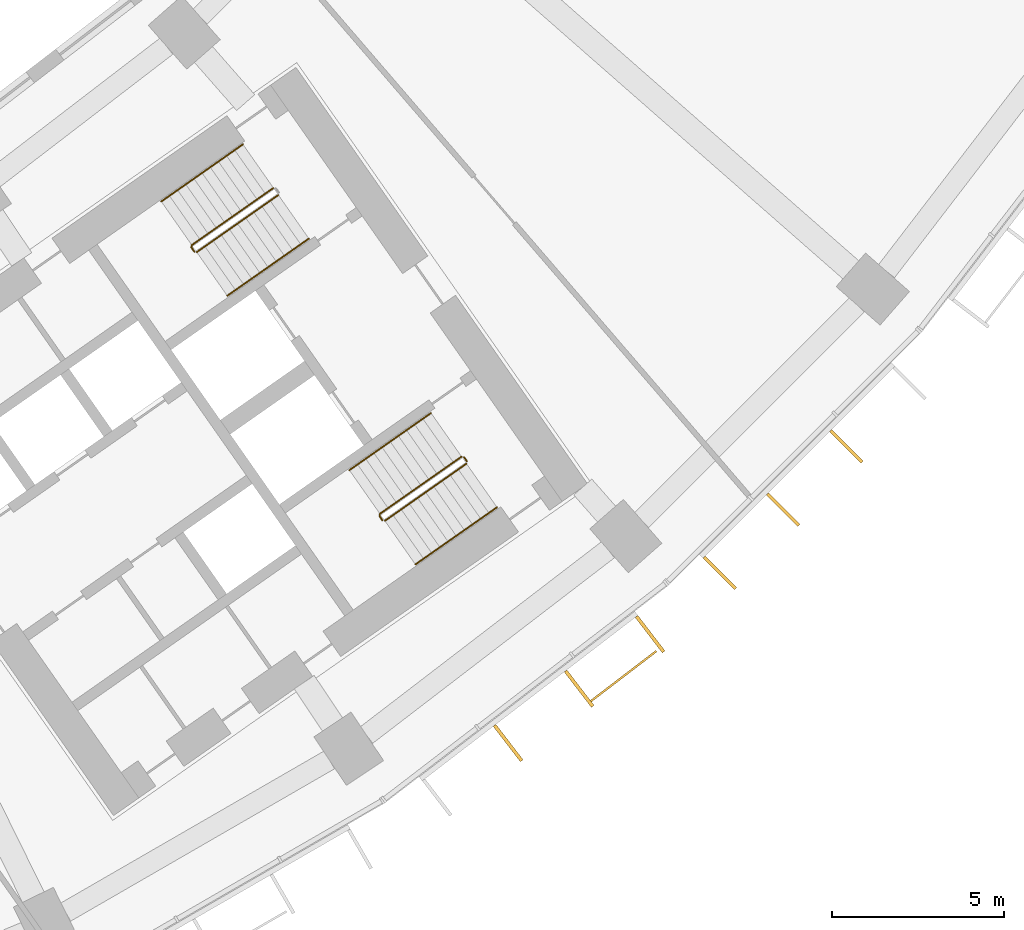
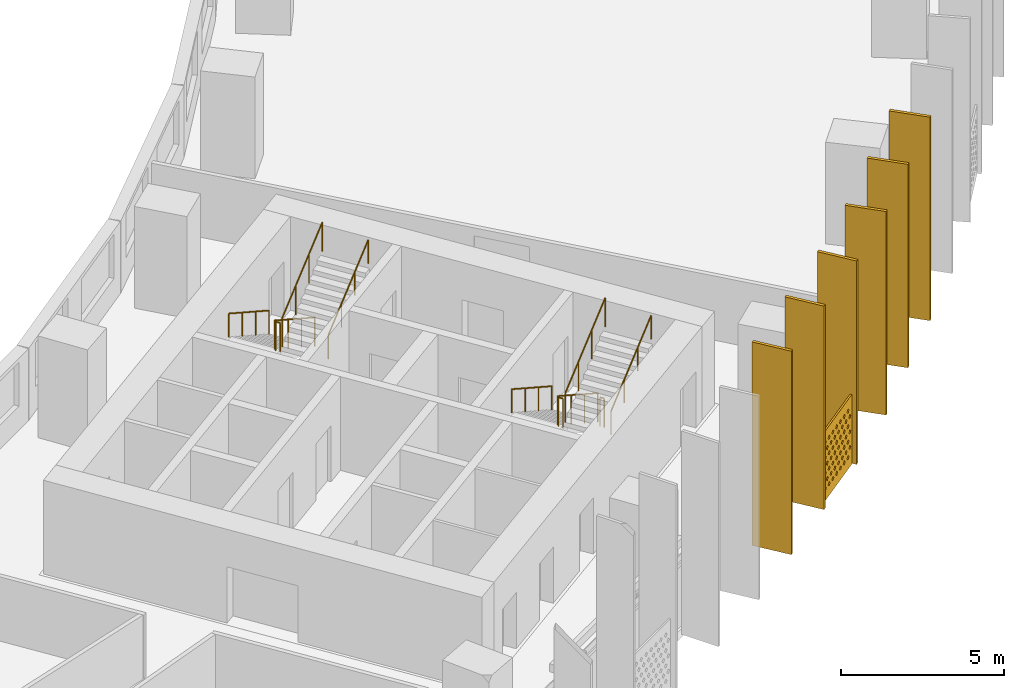
# One storey, part 32 of 33: 9 railings, 7 shading devices.
"""IFC4 building model written with IfcOpenShell, lengths in metres."""

import ifcopenshell
import ifcopenshell.guid

model = None  # the IFC model being written
_history = None  # IfcOwnerHistory: only IFC2X3 demands one
_inside = {}  # id of a spatial element -> (the spatial element, [elements in it])
_under = {}  # id of a project, library or spatial element -> (it, [spatial elements below it])
_declared = {}  # id of a project -> (the project, [libraries it declares])
_typed = {}  # id of a type object -> (the type object, [elements of that type])
_made_of = {}  # id of a material, layer set ... -> (it, [elements and type objects made of it])


def new_model(schema):
    """Start an empty IFC model of exactly this schema.

    Asked for "IFC4X3", IfcOpenShell would pick the latest addendum, in which some entities
    have other attributes; the version numbers below select the first issue.
    IFC2X3 requires an IfcOwnerHistory on every rooted entity: one is made here for all.
    """
    global model, _history
    if schema == "IFC4X3":
        model = ifcopenshell.file(schema_version=(4, 3, 0, 0))
    else:
        model = ifcopenshell.file(schema=schema)
    _inside.clear()
    _under.clear()
    _declared.clear()
    _typed.clear()
    _made_of.clear()
    _history = None
    if model.schema == "IFC2X3":
        org = make("IfcOrganization", Name="unknown")
        user = make(
            "IfcPersonAndOrganization",
            ThePerson=make("IfcPerson", FamilyName="unknown"),
            TheOrganization=org,
        )
        app = make(
            "IfcApplication",
            ApplicationDeveloper=org,
            Version="unknown",
            ApplicationFullName="unknown",
            ApplicationIdentifier="unknown",
        )
        _history = make(
            "IfcOwnerHistory",
            OwningUser=user,
            OwningApplication=app,
            ChangeAction="ADDED",
            CreationDate=0,
        )
    return model


def make(cls, **values):
    """One entity of the class cls with the attributes given. An attribute that is None is left unset."""
    return model.create_entity(
        cls, **{name: value for name, value in values.items() if value is not None}
    )


def rooted(cls, **values):
    """An entity with a GlobalId (a new one), such as an element, a storey or a relation."""
    return make(cls, GlobalId=ifcopenshell.guid.new(), OwnerHistory=_history, **values)


def si_unit(unit_type, name, prefix=None):
    """IfcSIUnit, for example si_unit("LENGTHUNIT", "METRE", prefix="MILLI")."""
    return make("IfcSIUnit", UnitType=unit_type, Prefix=prefix, Name=name)


def assignment(units):
    """IfcUnitAssignment: the units of a project."""
    return None if units is None else make("IfcUnitAssignment", Units=units)


def point(xyz):
    """IfcCartesianPoint."""
    return None if xyz is None else make("IfcCartesianPoint", Coordinates=xyz)


def direction(xyz):
    """IfcDirection."""
    return None if xyz is None else make("IfcDirection", DirectionRatios=xyz)


def frame(location, z_axis=None, x_axis=None):
    """IfcAxis2Placement3D, a coordinate frame: its origin and axes. An axis left out is left unset."""
    return make(
        "IfcAxis2Placement3D",
        Location=point(location),
        Axis=direction(z_axis),
        RefDirection=direction(x_axis),
    )


def frame_2d(location, x_axis=None):
    """IfcAxis2Placement2D, a coordinate frame in the plane: its origin and x axis."""
    return make(
        "IfcAxis2Placement2D", Location=point(location), RefDirection=direction(x_axis)
    )


def origin():
    """The frame at (0, 0, 0) with its axes left unset."""
    return frame((0.0, 0.0, 0.0))


def origin_2d():
    """The frame at (0, 0) in the plane with its x axis left unset."""
    return frame_2d((0.0, 0.0))


def place(relative_to, where):
    """IfcLocalPlacement: puts the frame where relative to a parent placement (None: the world)."""
    return make(
        "IfcLocalPlacement", PlacementRelTo=relative_to, RelativePlacement=where
    )


def context(
    kind, dimensions, precision=None, world=None, true_north=None, identifier=None
):
    """IfcGeometricRepresentationContext, for example the 3D "Model" context."""
    return make(
        "IfcGeometricRepresentationContext",
        ContextIdentifier=identifier,
        ContextType=kind,
        CoordinateSpaceDimension=dimensions,
        Precision=precision,
        WorldCoordinateSystem=world,
        TrueNorth=true_north,
    )


def subcontext(parent, identifier, kind, view, scale=None):
    """IfcGeometricRepresentationSubContext, for example "Body" below "Model"."""
    return make(
        "IfcGeometricRepresentationSubContext",
        ContextIdentifier=identifier,
        ContextType=kind,
        ParentContext=parent,
        TargetScale=scale,
        TargetView=view,
    )


def project(units=None, contexts=None):
    """IfcProject with its units and contexts."""
    return rooted(
        "IfcProject",
        Name="project",
        RepresentationContexts=contexts,
        UnitsInContext=assignment(units),
    )


def spatial(cls, under=None, at=None, **own):
    """A site, building, storey or space (cls), placed at a placement, below another one or the project."""
    s = rooted(cls, ObjectPlacement=at, **own)
    if under is not None:
        _under.setdefault(under.id(), (under, []))[1].append(s)
    return s


def polyline(points):
    """IfcPolyline through the points."""
    return make("IfcPolyline", Points=[point(p) for p in points])


def profile(cls, at=None, kind="AREA", **sizes):
    """A parametric profile (cls). Its sizes go by their IFC names, for example OverallWidth=200.0."""
    return make(cls, ProfileType=kind, Position=at, **sizes)


def rectangle(**sizes):
    """IfcRectangleProfileDef."""
    return profile("IfcRectangleProfileDef", **sizes)


def circle(**sizes):
    """IfcCircleProfileDef."""
    return profile("IfcCircleProfileDef", **sizes)


def outline(outer, holes=None, kind="AREA"):
    """IfcArbitraryClosedProfileDef: a profile drawn as a closed curve; with holes, ...WithVoids."""
    if holes is None:
        return make("IfcArbitraryClosedProfileDef", ProfileType=kind, OuterCurve=outer)
    return make(
        "IfcArbitraryProfileDefWithVoids",
        ProfileType=kind,
        OuterCurve=outer,
        InnerCurves=holes,
    )


def extrude(swept, where, along, depth):
    """IfcExtrudedAreaSolid: the profile swept, set in the frame where, extruded along a direction by depth."""
    return make(
        "IfcExtrudedAreaSolid",
        SweptArea=swept,
        Position=where,
        ExtrudedDirection=direction(along),
        Depth=depth,
    )


def shape(context_of_items, identifier, shape_type, items):
    """IfcShapeRepresentation: the items that make up one representation, for example the "Body"."""
    return make(
        "IfcShapeRepresentation",
        ContextOfItems=context_of_items,
        RepresentationIdentifier=identifier,
        RepresentationType=shape_type,
        Items=items,
    )


def material(Name=None, Category=None):
    """IfcMaterial."""
    return make("IfcMaterial", Name=Name, Category=Category)


def material_profile(
    of_material, cross_section, Name=None, Category=None, Priority=None
):
    """IfcMaterialProfile: a cross section and its material."""
    return make(
        "IfcMaterialProfile",
        Name=Name,
        Material=of_material,
        Profile=cross_section,
        Priority=Priority,
        Category=Category,
    )


def profile_set(profiles, Name=None, composite=None):
    """IfcMaterialProfileSet."""
    return make(
        "IfcMaterialProfileSet",
        Name=Name,
        MaterialProfiles=profiles,
        CompositeProfile=composite,
    )


def made_of(thing, what):
    """Note that an element or type object is made of a material, layer set ...; save() writes the relation."""
    if what is not None:
        _made_of.setdefault(what.id(), (what, []))[1].append(thing)
    return thing


def type_object(cls, material=None, **own):
    """A type object (cls), such as IfcWallType, which elements share."""
    return made_of(rooted(cls, **own), material)


def element(
    cls,
    number,
    at=None,
    inside=None,
    cuts=None,
    type_object=None,
    material=None,
    context=None,
    identifier="Body",
    shape_type=None,
    held_by="IfcProductDefinitionShape",
    body=None,
    shapes=None,
    **own,
):
    """One element of the class cls, such as IfcWall. Its Tag is "e" and its number.

    at: its placement. inside: the storey or other place that contains it. cuts: it is an
    opening in that element (IfcRelVoidsElement). A single representation is given by context,
    identifier, shape_type and body (its items); several are given by shapes. held_by: the class
    of the entity that holds the representations. save() writes the other relations.
    """
    e = rooted(cls, Tag="e%d" % number, ObjectPlacement=at, **own)
    if body is not None:
        shapes = [shape(context, identifier, shape_type, body)]
    if shapes is not None:
        e.Representation = make(held_by, Representations=shapes)
    if inside is not None:
        _inside.setdefault(inside.id(), (inside, []))[1].append(e)
    if cuts is not None:
        rooted(
            "IfcRelVoidsElement", RelatingBuildingElement=cuts, RelatedOpeningElement=e
        )
    if type_object is not None:
        _typed.setdefault(type_object.id(), (type_object, []))[1].append(e)
    return made_of(e, material)


def aggregate(whole, parts):
    """IfcRelAggregates: a whole, such as a stair, and the parts it consists of."""
    return rooted("IfcRelAggregates", RelatingObject=whole, RelatedObjects=parts)


def save(model, path):
    """Write the relations noted so far, then the file.

    IfcRelAggregates (storeys below a building ...), IfcRelContainedInSpatialStructure (elements
    in a storey), IfcRelDefinesByType, IfcRelAssociatesMaterial and IfcRelDeclares: one each for
    every whole, place, type object, material and project.
    """
    for whole, parts in _under.values():
        aggregate(whole, parts)
    for where, things in _inside.values():
        rooted(
            "IfcRelContainedInSpatialStructure",
            RelatedElements=things,
            RelatingStructure=where,
        )
    for kind, things in _typed.values():
        rooted("IfcRelDefinesByType", RelatedObjects=things, RelatingType=kind)
    for what, things in _made_of.values():
        rooted("IfcRelAssociatesMaterial", RelatedObjects=things, RelatingMaterial=what)
    for by, libraries in _declared.values():
        rooted("IfcRelDeclares", RelatingContext=by, RelatedDefinitions=libraries)
    model.write(path)


model = new_model("IFC4")

# Units and contexts
model_context = context("Model", 3, precision=1e-05, world=origin(), true_north=direction((0.0, 1.0)))
body_context = subcontext(model_context, "Body", "Model", "MODEL_VIEW")
ifc_project = project(units=[si_unit("LENGTHUNIT", "METRE"), si_unit("AREAUNIT", "SQUARE_METRE"), si_unit("VOLUMEUNIT", "CUBIC_METRE"), si_unit("PLANEANGLEUNIT", "RADIAN"), si_unit("MASSUNIT", "GRAM", prefix="KILO")], contexts=[model_context])

# Site, building, storey
site_placement = place(None, origin())
site = spatial("IfcSite", under=ifc_project, at=site_placement, CompositionType="ELEMENT")
building_placement = place(site_placement, origin())
building = spatial("IfcBuilding", under=site, at=building_placement, Name="Qamariyya Broadcast Tower", CompositionType="ELEMENT")
storey_placement = place(building_placement, frame((0.0, 0.0, 78.5)))
storey = spatial("IfcBuildingStorey", under=building, at=storey_placement, Name="L16", CompositionType="ELEMENT", Elevation=78.5)

# Shading device
ifc_material_1 = material(Name="Perforated glazed terracotta", Category="masonry")
ifc_material_profile_1 = material_profile(ifc_material_1, outline(polyline([(-1.199951171875, -1.300048828125), (1.199951171875, -1.300048828125), (1.199951171875, 1.300048828125), (-1.199951171875, 1.300048828125), (-1.199951171875, -1.300048828125)]), holes=[polyline([(-0.81494140625, -0.86669921875), (-0.89990234375, -0.78173828125), (-0.985107421875, -0.86669921875), (-0.89990234375, -0.95166015625), (-0.81494140625, -0.86669921875)]), polyline([(-0.514892578125, -0.86669921875), (-0.60009765625, -0.78173828125), (-0.68505859375, -0.86669921875), (-0.60009765625, -0.95166015625), (-0.514892578125, -0.86669921875)]), polyline([(-0.215087890625, -0.86669921875), (-0.300048828125, -0.78173828125), (-0.385009765625, -0.86669921875), (-0.300048828125, -0.95166015625), (-0.215087890625, -0.86669921875)]), polyline([(0.0849609375, -0.86669921875), (0.0, -0.78173828125), (-0.0849609375, -0.86669921875), (0.0, -0.95166015625), (0.0849609375, -0.86669921875)]), polyline([(0.385009765625, -0.86669921875), (0.300048828125, -0.78173828125), (0.215087890625, -0.86669921875), (0.300048828125, -0.95166015625), (0.385009765625, -0.86669921875)]), polyline([(0.68505859375, -0.86669921875), (0.60009765625, -0.78173828125), (0.514892578125, -0.86669921875), (0.60009765625, -0.95166015625), (0.68505859375, -0.86669921875)]), polyline([(0.985107421875, -0.86669921875), (0.89990234375, -0.78173828125), (0.81494140625, -0.86669921875), (0.89990234375, -0.95166015625), (0.985107421875, -0.86669921875)]), polyline([(-0.965087890625, -0.577880859375), (-1.050048828125, -0.49267578125), (-1.135009765625, -0.577880859375), (-1.050048828125, -0.662841796875), (-0.965087890625, -0.577880859375)]), polyline([(-0.6650390625, -0.577880859375), (-0.75, -0.49267578125), (-0.8349609375, -0.577880859375), (-0.75, -0.662841796875), (-0.6650390625, -0.577880859375)]), polyline([(-0.364990234375, -0.577880859375), (-0.449951171875, -0.49267578125), (-0.534912109375, -0.577880859375), (-0.449951171875, -0.662841796875), (-0.364990234375, -0.577880859375)]), polyline([(-0.06494140625, -0.577880859375), (-0.14990234375, -0.49267578125), (-0.235107421875, -0.577880859375), (-0.14990234375, -0.662841796875), (-0.06494140625, -0.577880859375)]), polyline([(0.235107421875, -0.577880859375), (0.14990234375, -0.49267578125), (0.06494140625, -0.577880859375), (0.14990234375, -0.662841796875), (0.235107421875, -0.577880859375)]), polyline([(0.534912109375, -0.577880859375), (0.449951171875, -0.49267578125), (0.364990234375, -0.577880859375), (0.449951171875, -0.662841796875), (0.534912109375, -0.577880859375)]), polyline([(0.8349609375, -0.577880859375), (0.75, -0.49267578125), (0.6650390625, -0.577880859375), (0.75, -0.662841796875), (0.8349609375, -0.577880859375)]), polyline([(1.135009765625, -0.577880859375), (1.050048828125, -0.49267578125), (0.965087890625, -0.577880859375), (1.050048828125, -0.662841796875), (1.135009765625, -0.577880859375)]), polyline([(-0.81494140625, -0.288818359375), (-0.89990234375, -0.203857421875), (-0.985107421875, -0.288818359375), (-0.89990234375, -0.373779296875), (-0.81494140625, -0.288818359375)]), polyline([(-0.514892578125, -0.288818359375), (-0.60009765625, -0.203857421875), (-0.68505859375, -0.288818359375), (-0.60009765625, -0.373779296875), (-0.514892578125, -0.288818359375)]), polyline([(-0.215087890625, -0.288818359375), (-0.300048828125, -0.203857421875), (-0.385009765625, -0.288818359375), (-0.300048828125, -0.373779296875), (-0.215087890625, -0.288818359375)]), polyline([(0.0849609375, -0.288818359375), (0.0, -0.203857421875), (-0.0849609375, -0.288818359375), (0.0, -0.373779296875), (0.0849609375, -0.288818359375)]), polyline([(0.385009765625, -0.288818359375), (0.300048828125, -0.203857421875), (0.215087890625, -0.288818359375), (0.300048828125, -0.373779296875), (0.385009765625, -0.288818359375)]), polyline([(0.68505859375, -0.288818359375), (0.60009765625, -0.203857421875), (0.514892578125, -0.288818359375), (0.60009765625, -0.373779296875), (0.68505859375, -0.288818359375)]), polyline([(0.985107421875, -0.288818359375), (0.89990234375, -0.203857421875), (0.81494140625, -0.288818359375), (0.89990234375, -0.373779296875), (0.985107421875, -0.288818359375)]), polyline([(-0.965087890625, 0.0), (-1.050048828125, 0.0849609375), (-1.135009765625, 0.0), (-1.050048828125, -0.0849609375), (-0.965087890625, 0.0)]), polyline([(-0.6650390625, 0.0), (-0.75, 0.0849609375), (-0.8349609375, 0.0), (-0.75, -0.0849609375), (-0.6650390625, 0.0)]), polyline([(-0.364990234375, 0.0), (-0.449951171875, 0.0849609375), (-0.534912109375, 0.0), (-0.449951171875, -0.0849609375), (-0.364990234375, 0.0)]), polyline([(-0.06494140625, 0.0), (-0.14990234375, 0.0849609375), (-0.235107421875, 0.0), (-0.14990234375, -0.0849609375), (-0.06494140625, 0.0)]), polyline([(0.235107421875, 0.0), (0.14990234375, 0.0849609375), (0.06494140625, 0.0), (0.14990234375, -0.0849609375), (0.235107421875, 0.0)]), polyline([(0.534912109375, 0.0), (0.449951171875, 0.0849609375), (0.364990234375, 0.0), (0.449951171875, -0.0849609375), (0.534912109375, 0.0)]), polyline([(0.8349609375, 0.0), (0.75, 0.0849609375), (0.6650390625, 0.0), (0.75, -0.0849609375), (0.8349609375, 0.0)]), polyline([(1.135009765625, 0.0), (1.050048828125, 0.0849609375), (0.965087890625, 0.0), (1.050048828125, -0.0849609375), (1.135009765625, 0.0)]), polyline([(-0.81494140625, 0.288818359375), (-0.89990234375, 0.373779296875), (-0.985107421875, 0.288818359375), (-0.89990234375, 0.203857421875), (-0.81494140625, 0.288818359375)]), polyline([(-0.514892578125, 0.288818359375), (-0.60009765625, 0.373779296875), (-0.68505859375, 0.288818359375), (-0.60009765625, 0.203857421875), (-0.514892578125, 0.288818359375)]), polyline([(-0.215087890625, 0.288818359375), (-0.300048828125, 0.373779296875), (-0.385009765625, 0.288818359375), (-0.300048828125, 0.203857421875), (-0.215087890625, 0.288818359375)]), polyline([(0.0849609375, 0.288818359375), (0.0, 0.373779296875), (-0.0849609375, 0.288818359375), (0.0, 0.203857421875), (0.0849609375, 0.288818359375)]), polyline([(0.385009765625, 0.288818359375), (0.300048828125, 0.373779296875), (0.215087890625, 0.288818359375), (0.300048828125, 0.203857421875), (0.385009765625, 0.288818359375)]), polyline([(0.68505859375, 0.288818359375), (0.60009765625, 0.373779296875), (0.514892578125, 0.288818359375), (0.60009765625, 0.203857421875), (0.68505859375, 0.288818359375)]), polyline([(0.985107421875, 0.288818359375), (0.89990234375, 0.373779296875), (0.81494140625, 0.288818359375), (0.89990234375, 0.203857421875), (0.985107421875, 0.288818359375)]), polyline([(-0.965087890625, 0.577880859375), (-1.050048828125, 0.662841796875), (-1.135009765625, 0.577880859375), (-1.050048828125, 0.49267578125), (-0.965087890625, 0.577880859375)]), polyline([(-0.6650390625, 0.577880859375), (-0.75, 0.662841796875), (-0.8349609375, 0.577880859375), (-0.75, 0.49267578125), (-0.6650390625, 0.577880859375)]), polyline([(-0.364990234375, 0.577880859375), (-0.449951171875, 0.662841796875), (-0.534912109375, 0.577880859375), (-0.449951171875, 0.49267578125), (-0.364990234375, 0.577880859375)]), polyline([(-0.06494140625, 0.577880859375), (-0.14990234375, 0.662841796875), (-0.235107421875, 0.577880859375), (-0.14990234375, 0.49267578125), (-0.06494140625, 0.577880859375)]), polyline([(0.235107421875, 0.577880859375), (0.14990234375, 0.662841796875), (0.06494140625, 0.577880859375), (0.14990234375, 0.49267578125), (0.235107421875, 0.577880859375)]), polyline([(0.534912109375, 0.577880859375), (0.449951171875, 0.662841796875), (0.364990234375, 0.577880859375), (0.449951171875, 0.49267578125), (0.534912109375, 0.577880859375)]), polyline([(0.8349609375, 0.577880859375), (0.75, 0.662841796875), (0.6650390625, 0.577880859375), (0.75, 0.49267578125), (0.8349609375, 0.577880859375)]), polyline([(1.135009765625, 0.577880859375), (1.050048828125, 0.662841796875), (0.965087890625, 0.577880859375), (1.050048828125, 0.49267578125), (1.135009765625, 0.577880859375)]), polyline([(-0.81494140625, 0.86669921875), (-0.89990234375, 0.95166015625), (-0.985107421875, 0.86669921875), (-0.89990234375, 0.78173828125), (-0.81494140625, 0.86669921875)]), polyline([(-0.514892578125, 0.86669921875), (-0.60009765625, 0.95166015625), (-0.68505859375, 0.86669921875), (-0.60009765625, 0.78173828125), (-0.514892578125, 0.86669921875)]), polyline([(-0.215087890625, 0.86669921875), (-0.300048828125, 0.95166015625), (-0.385009765625, 0.86669921875), (-0.300048828125, 0.78173828125), (-0.215087890625, 0.86669921875)]), polyline([(0.0849609375, 0.86669921875), (0.0, 0.95166015625), (-0.0849609375, 0.86669921875), (0.0, 0.78173828125), (0.0849609375, 0.86669921875)]), polyline([(0.385009765625, 0.86669921875), (0.300048828125, 0.95166015625), (0.215087890625, 0.86669921875), (0.300048828125, 0.78173828125), (0.385009765625, 0.86669921875)]), polyline([(0.68505859375, 0.86669921875), (0.60009765625, 0.95166015625), (0.514892578125, 0.86669921875), (0.60009765625, 0.78173828125), (0.68505859375, 0.86669921875)]), polyline([(0.985107421875, 0.86669921875), (0.89990234375, 0.95166015625), (0.81494140625, 0.86669921875), (0.89990234375, 0.78173828125), (0.985107421875, 0.86669921875)])]))
ifc_profile_set_1 = profile_set([ifc_material_profile_1], Name="Perforated glazed terracotta")
shading_device_type_1 = type_object("IfcShadingDeviceType", Name="Perforated terracotta screen 2400 x 2600", PredefinedType="USERDEFINED", material=ifc_profile_set_1)
shading_device_placement = place(storey_placement, frame((51.18212890625, -62.509033203125, 1.35009765625), z_axis=(0.607147566278, -0.794589096806, 0.0), x_axis=(0.794589096806, 0.607147566278, 0.0)))
element("IfcShadingDevice", 1, at=shading_device_placement, inside=storey, type_object=shading_device_type_1, Name="e-scr-L16-13-2", ObjectType="SCREEN", PredefinedType="USERDEFINED", context=body_context, shape_type="SweptSolid", body=[
    extrude(outline(polyline([(-1.199951171875, -1.300048828125), (1.199951171875, -1.300048828125), (1.199951171875, 1.300048828125), (-1.199951171875, 1.300048828125), (-1.199951171875, -1.300048828125)]), holes=[polyline([(-0.81494140625, -0.86669921875), (-0.89990234375, -0.78173828125), (-0.985107421875, -0.86669921875), (-0.89990234375, -0.95166015625), (-0.81494140625, -0.86669921875)]), polyline([(-0.514892578125, -0.86669921875), (-0.60009765625, -0.78173828125), (-0.68505859375, -0.86669921875), (-0.60009765625, -0.95166015625), (-0.514892578125, -0.86669921875)]), polyline([(-0.215087890625, -0.86669921875), (-0.300048828125, -0.78173828125), (-0.385009765625, -0.86669921875), (-0.300048828125, -0.95166015625), (-0.215087890625, -0.86669921875)]), polyline([(0.0849609375, -0.86669921875), (0.0, -0.78173828125), (-0.0849609375, -0.86669921875), (0.0, -0.95166015625), (0.0849609375, -0.86669921875)]), polyline([(0.385009765625, -0.86669921875), (0.300048828125, -0.78173828125), (0.215087890625, -0.86669921875), (0.300048828125, -0.95166015625), (0.385009765625, -0.86669921875)]), polyline([(0.68505859375, -0.86669921875), (0.60009765625, -0.78173828125), (0.514892578125, -0.86669921875), (0.60009765625, -0.95166015625), (0.68505859375, -0.86669921875)]), polyline([(0.985107421875, -0.86669921875), (0.89990234375, -0.78173828125), (0.81494140625, -0.86669921875), (0.89990234375, -0.95166015625), (0.985107421875, -0.86669921875)]), polyline([(-0.965087890625, -0.577880859375), (-1.050048828125, -0.49267578125), (-1.135009765625, -0.577880859375), (-1.050048828125, -0.662841796875), (-0.965087890625, -0.577880859375)]), polyline([(-0.6650390625, -0.577880859375), (-0.75, -0.49267578125), (-0.8349609375, -0.577880859375), (-0.75, -0.662841796875), (-0.6650390625, -0.577880859375)]), polyline([(-0.364990234375, -0.577880859375), (-0.449951171875, -0.49267578125), (-0.534912109375, -0.577880859375), (-0.449951171875, -0.662841796875), (-0.364990234375, -0.577880859375)]), polyline([(-0.06494140625, -0.577880859375), (-0.14990234375, -0.49267578125), (-0.235107421875, -0.577880859375), (-0.14990234375, -0.662841796875), (-0.06494140625, -0.577880859375)]), polyline([(0.235107421875, -0.577880859375), (0.14990234375, -0.49267578125), (0.06494140625, -0.577880859375), (0.14990234375, -0.662841796875), (0.235107421875, -0.577880859375)]), polyline([(0.534912109375, -0.577880859375), (0.449951171875, -0.49267578125), (0.364990234375, -0.577880859375), (0.449951171875, -0.662841796875), (0.534912109375, -0.577880859375)]), polyline([(0.8349609375, -0.577880859375), (0.75, -0.49267578125), (0.6650390625, -0.577880859375), (0.75, -0.662841796875), (0.8349609375, -0.577880859375)]), polyline([(1.135009765625, -0.577880859375), (1.050048828125, -0.49267578125), (0.965087890625, -0.577880859375), (1.050048828125, -0.662841796875), (1.135009765625, -0.577880859375)]), polyline([(-0.81494140625, -0.288818359375), (-0.89990234375, -0.203857421875), (-0.985107421875, -0.288818359375), (-0.89990234375, -0.373779296875), (-0.81494140625, -0.288818359375)]), polyline([(-0.514892578125, -0.288818359375), (-0.60009765625, -0.203857421875), (-0.68505859375, -0.288818359375), (-0.60009765625, -0.373779296875), (-0.514892578125, -0.288818359375)]), polyline([(-0.215087890625, -0.288818359375), (-0.300048828125, -0.203857421875), (-0.385009765625, -0.288818359375), (-0.300048828125, -0.373779296875), (-0.215087890625, -0.288818359375)]), polyline([(0.0849609375, -0.288818359375), (0.0, -0.203857421875), (-0.0849609375, -0.288818359375), (0.0, -0.373779296875), (0.0849609375, -0.288818359375)]), polyline([(0.385009765625, -0.288818359375), (0.300048828125, -0.203857421875), (0.215087890625, -0.288818359375), (0.300048828125, -0.373779296875), (0.385009765625, -0.288818359375)]), polyline([(0.68505859375, -0.288818359375), (0.60009765625, -0.203857421875), (0.514892578125, -0.288818359375), (0.60009765625, -0.373779296875), (0.68505859375, -0.288818359375)]), polyline([(0.985107421875, -0.288818359375), (0.89990234375, -0.203857421875), (0.81494140625, -0.288818359375), (0.89990234375, -0.373779296875), (0.985107421875, -0.288818359375)]), polyline([(-0.965087890625, 0.0), (-1.050048828125, 0.0849609375), (-1.135009765625, 0.0), (-1.050048828125, -0.0849609375), (-0.965087890625, 0.0)]), polyline([(-0.6650390625, 0.0), (-0.75, 0.0849609375), (-0.8349609375, 0.0), (-0.75, -0.0849609375), (-0.6650390625, 0.0)]), polyline([(-0.364990234375, 0.0), (-0.449951171875, 0.0849609375), (-0.534912109375, 0.0), (-0.449951171875, -0.0849609375), (-0.364990234375, 0.0)]), polyline([(-0.06494140625, 0.0), (-0.14990234375, 0.0849609375), (-0.235107421875, 0.0), (-0.14990234375, -0.0849609375), (-0.06494140625, 0.0)]), polyline([(0.235107421875, 0.0), (0.14990234375, 0.0849609375), (0.06494140625, 0.0), (0.14990234375, -0.0849609375), (0.235107421875, 0.0)]), polyline([(0.534912109375, 0.0), (0.449951171875, 0.0849609375), (0.364990234375, 0.0), (0.449951171875, -0.0849609375), (0.534912109375, 0.0)]), polyline([(0.8349609375, 0.0), (0.75, 0.0849609375), (0.6650390625, 0.0), (0.75, -0.0849609375), (0.8349609375, 0.0)]), polyline([(1.135009765625, 0.0), (1.050048828125, 0.0849609375), (0.965087890625, 0.0), (1.050048828125, -0.0849609375), (1.135009765625, 0.0)]), polyline([(-0.81494140625, 0.288818359375), (-0.89990234375, 0.373779296875), (-0.985107421875, 0.288818359375), (-0.89990234375, 0.203857421875), (-0.81494140625, 0.288818359375)]), polyline([(-0.514892578125, 0.288818359375), (-0.60009765625, 0.373779296875), (-0.68505859375, 0.288818359375), (-0.60009765625, 0.203857421875), (-0.514892578125, 0.288818359375)]), polyline([(-0.215087890625, 0.288818359375), (-0.300048828125, 0.373779296875), (-0.385009765625, 0.288818359375), (-0.300048828125, 0.203857421875), (-0.215087890625, 0.288818359375)]), polyline([(0.0849609375, 0.288818359375), (0.0, 0.373779296875), (-0.0849609375, 0.288818359375), (0.0, 0.203857421875), (0.0849609375, 0.288818359375)]), polyline([(0.385009765625, 0.288818359375), (0.300048828125, 0.373779296875), (0.215087890625, 0.288818359375), (0.300048828125, 0.203857421875), (0.385009765625, 0.288818359375)]), polyline([(0.68505859375, 0.288818359375), (0.60009765625, 0.373779296875), (0.514892578125, 0.288818359375), (0.60009765625, 0.203857421875), (0.68505859375, 0.288818359375)]), polyline([(0.985107421875, 0.288818359375), (0.89990234375, 0.373779296875), (0.81494140625, 0.288818359375), (0.89990234375, 0.203857421875), (0.985107421875, 0.288818359375)]), polyline([(-0.965087890625, 0.577880859375), (-1.050048828125, 0.662841796875), (-1.135009765625, 0.577880859375), (-1.050048828125, 0.49267578125), (-0.965087890625, 0.577880859375)]), polyline([(-0.6650390625, 0.577880859375), (-0.75, 0.662841796875), (-0.8349609375, 0.577880859375), (-0.75, 0.49267578125), (-0.6650390625, 0.577880859375)]), polyline([(-0.364990234375, 0.577880859375), (-0.449951171875, 0.662841796875), (-0.534912109375, 0.577880859375), (-0.449951171875, 0.49267578125), (-0.364990234375, 0.577880859375)]), polyline([(-0.06494140625, 0.577880859375), (-0.14990234375, 0.662841796875), (-0.235107421875, 0.577880859375), (-0.14990234375, 0.49267578125), (-0.06494140625, 0.577880859375)]), polyline([(0.235107421875, 0.577880859375), (0.14990234375, 0.662841796875), (0.06494140625, 0.577880859375), (0.14990234375, 0.49267578125), (0.235107421875, 0.577880859375)]), polyline([(0.534912109375, 0.577880859375), (0.449951171875, 0.662841796875), (0.364990234375, 0.577880859375), (0.449951171875, 0.49267578125), (0.534912109375, 0.577880859375)]), polyline([(0.8349609375, 0.577880859375), (0.75, 0.662841796875), (0.6650390625, 0.577880859375), (0.75, 0.49267578125), (0.8349609375, 0.577880859375)]), polyline([(1.135009765625, 0.577880859375), (1.050048828125, 0.662841796875), (0.965087890625, 0.577880859375), (1.050048828125, 0.49267578125), (1.135009765625, 0.577880859375)]), polyline([(-0.81494140625, 0.86669921875), (-0.89990234375, 0.95166015625), (-0.985107421875, 0.86669921875), (-0.89990234375, 0.78173828125), (-0.81494140625, 0.86669921875)]), polyline([(-0.514892578125, 0.86669921875), (-0.60009765625, 0.95166015625), (-0.68505859375, 0.86669921875), (-0.60009765625, 0.78173828125), (-0.514892578125, 0.86669921875)]), polyline([(-0.215087890625, 0.86669921875), (-0.300048828125, 0.95166015625), (-0.385009765625, 0.86669921875), (-0.300048828125, 0.78173828125), (-0.215087890625, 0.86669921875)]), polyline([(0.0849609375, 0.86669921875), (0.0, 0.95166015625), (-0.0849609375, 0.86669921875), (0.0, 0.78173828125), (0.0849609375, 0.86669921875)]), polyline([(0.385009765625, 0.86669921875), (0.300048828125, 0.95166015625), (0.215087890625, 0.86669921875), (0.300048828125, 0.78173828125), (0.385009765625, 0.86669921875)]), polyline([(0.68505859375, 0.86669921875), (0.60009765625, 0.95166015625), (0.514892578125, 0.86669921875), (0.60009765625, 0.78173828125), (0.68505859375, 0.86669921875)]), polyline([(0.985107421875, 0.86669921875), (0.89990234375, 0.95166015625), (0.81494140625, 0.86669921875), (0.89990234375, 0.78173828125), (0.985107421875, 0.86669921875)])]), origin(), (0.0, 0.0, 1.0), 0.059814453125),
])

# Railings
ifc_material_2 = material(Name="Painted steel", Category="steel")
railing_type_1 = type_object("IfcRailingType", Name="Stair guard", PredefinedType="GUARDRAIL", material=ifc_material_2)
railing_1_placement = place(storey_placement, frame((41.003173828125, -48.320068359375, 0.172607421875)))
element("IfcRailing", 2, at=railing_1_placement, inside=storey, type_object=railing_type_1, Name="L16 ST-E2 stair guard 1", PredefinedType="GUARDRAIL", context=body_context, shape_type="SweptSolid", body=[
    extrude(circle(Radius=0.02392578125, at=origin_2d()), frame((0.0, 0.0, 1.076171875), z_axis=(-0.703770094002, -0.492783725636, 0.511734163933), x_axis=(0.573575343427, -0.819152809562, 0.0)), (0.0, 0.0, 1.0), 3.37548828125),
    extrude(circle(Radius=0.02392578125, at=origin_2d()), frame((-2.37548828125, -1.663330078125, 2.80322265625), z_axis=(-0.172799478008, -0.984957024646, 0.0), x_axis=(0.984957024646, -0.172799478008, 0.0)), (0.0, 0.0, 1.0), 0.070556640625),
    extrude(circle(Radius=0.02392578125, at=origin_2d()), frame((-2.3876953125, -1.73291015625, 2.80322265625), z_axis=(0.572588637393, -0.819842821722, 0.0), x_axis=(0.819842821722, 0.572588637393, 0.0)), (0.0, 0.0, 1.0), 0.150146484375),
    extrude(circle(Radius=0.02099609375, at=origin_2d()), origin(), (0.0, 0.0, 1.0), 1.052001953125),
    extrude(circle(Radius=0.02099609375, at=origin_2d()), frame((-0.791748046875, -0.554443359375, 0.57568359375)), (0.0, 0.0, 1.0), 1.052001953125),
    extrude(circle(Radius=0.02099609375, at=origin_2d()), frame((-1.583740234375, -1.10888671875, 1.151611328125)), (0.0, 0.0, 1.0), 1.052001953125),
    extrude(circle(Radius=0.02099609375, at=origin_2d()), frame((-2.37548828125, -1.663330078125, 1.727294921875)), (0.0, 0.0, 1.0), 1.052001953125),
    extrude(circle(Radius=0.02099609375, at=origin_2d()), frame((-2.3876953125, -1.73291015625, 1.727294921875)), (0.0, 0.0, 1.0), 1.052001953125),
    extrude(circle(Radius=0.02099609375, at=origin_2d()), frame((-2.3017578125, -1.85595703125, 1.727294921875)), (0.0, 0.0, 1.0), 1.052001953125),
])
railing_2_placement = place(storey_placement, frame((38.771240234375, -50.188232421875, 2.07275390625)))
element("IfcRailing", 3, at=railing_2_placement, inside=storey, type_object=railing_type_1, Name="L16 ST-E2 stair guard 2", PredefinedType="GUARDRAIL", context=body_context, shape_type="SweptSolid", body=[
    extrude(circle(Radius=0.02392578125, at=origin_2d()), frame((0.0, 0.0, 1.076171875), z_axis=(0.703770094002, 0.492783725636, 0.511734163933), x_axis=(-0.573575343427, 0.819152809562, 0.0)), (0.0, 0.0, 1.0), 3.37548828125),
    extrude(circle(Radius=0.02099609375, at=origin_2d()), origin(), (0.0, 0.0, 1.0), 1.052001953125),
    extrude(circle(Radius=0.02099609375, at=origin_2d()), frame((0.791748046875, 0.554443359375, 0.57568359375)), (0.0, 0.0, 1.0), 1.052001953125),
    extrude(circle(Radius=0.02099609375, at=origin_2d()), frame((1.583740234375, 1.10888671875, 1.151611328125)), (0.0, 0.0, 1.0), 1.052001953125),
    extrude(circle(Radius=0.02099609375, at=origin_2d()), frame((2.37548828125, 1.663330078125, 1.727294921875)), (0.0, 0.0, 1.0), 1.052001953125),
])
railing_3_placement = place(storey_placement, frame((46.48095703125, -56.14306640625, 0.172607421875)))
element("IfcRailing", 4, at=railing_3_placement, inside=storey, type_object=railing_type_1, Name="L16 ST-E1 stair guard 1", PredefinedType="GUARDRAIL", context=body_context, shape_type="SweptSolid", body=[
    extrude(circle(Radius=0.02392578125, at=origin_2d()), frame((0.0, 0.0, 1.076171875), z_axis=(-0.703770094002, -0.492783725636, 0.511734163933), x_axis=(0.573575343427, -0.819152809562, 0.0)), (0.0, 0.0, 1.0), 3.37548828125),
    extrude(circle(Radius=0.02392578125, at=origin_2d()), frame((-2.37548828125, -1.663330078125, 2.80322265625), z_axis=(-0.176149252506, -0.984363469884, 0.0), x_axis=(0.984363469884, -0.176149252506, 0.0)), (0.0, 0.0, 1.0), 0.07080078125),
    extrude(circle(Radius=0.02392578125, at=origin_2d()), frame((-2.387939453125, -1.73291015625, 2.80322265625), z_axis=(0.574444878118, -0.818543268254, 0.0), x_axis=(0.818543268254, 0.574444878118, 0.0)), (0.0, 0.0, 1.0), 0.150146484375),
    extrude(circle(Radius=0.02099609375, at=origin_2d()), origin(), (0.0, 0.0, 1.0), 1.052001953125),
    extrude(circle(Radius=0.02099609375, at=origin_2d()), frame((-0.791748046875, -0.554443359375, 0.57568359375)), (0.0, 0.0, 1.0), 1.052001953125),
    extrude(circle(Radius=0.02099609375, at=origin_2d()), frame((-1.583740234375, -1.10888671875, 1.151611328125)), (0.0, 0.0, 1.0), 1.052001953125),
    extrude(circle(Radius=0.02099609375, at=origin_2d()), frame((-2.37548828125, -1.663330078125, 1.727294921875)), (0.0, 0.0, 1.0), 1.052001953125),
    extrude(circle(Radius=0.02099609375, at=origin_2d()), frame((-2.387939453125, -1.73291015625, 1.727294921875)), (0.0, 0.0, 1.0), 1.052001953125),
    extrude(circle(Radius=0.02099609375, at=origin_2d()), frame((-2.3017578125, -1.855712890625, 1.727294921875)), (0.0, 0.0, 1.0), 1.052001953125),
])
railing_4_placement = place(storey_placement, frame((44.248779296875, -58.01123046875, 2.07275390625)))
element("IfcRailing", 5, at=railing_4_placement, inside=storey, type_object=railing_type_1, Name="L16 ST-E1 stair guard 2", PredefinedType="GUARDRAIL", context=body_context, shape_type="SweptSolid", body=[
    extrude(circle(Radius=0.02392578125, at=origin_2d()), frame((0.0, 0.0, 1.076171875), z_axis=(0.703745009021, 0.492838488332, 0.511715923826), x_axis=(-0.573631830683, 0.819113253969, 0.0)), (0.0, 0.0, 1.0), 3.37548828125),
    extrude(circle(Radius=0.02099609375, at=origin_2d()), origin(), (0.0, 0.0, 1.0), 1.052001953125),
    extrude(circle(Radius=0.02099609375, at=origin_2d()), frame((0.791748046875, 0.554443359375, 0.57568359375)), (0.0, 0.0, 1.0), 1.052001953125),
    extrude(circle(Radius=0.02099609375, at=origin_2d()), frame((1.583740234375, 1.109130859375, 1.151611328125)), (0.0, 0.0, 1.0), 1.052001953125),
    extrude(circle(Radius=0.02099609375, at=origin_2d()), frame((2.37548828125, 1.66357421875, 1.727294921875)), (0.0, 0.0, 1.0), 1.052001953125),
])
railing_5_placement = place(storey_placement, frame((46.550537109375, -56.1552734375, 0.0)))
element("IfcRailing", 6, at=railing_5_placement, inside=storey, type_object=railing_type_1, Name="L16 ST-E1 stair guard 3", PredefinedType="GUARDRAIL", context=body_context, shape_type="SweptSolid", body=[
    extrude(circle(Radius=0.02392578125, at=origin_2d()), frame((0.0, 0.0, 1.076171875), z_axis=(0.574444878118, -0.818543268254, 0.0), x_axis=(0.818543268254, 0.574444878118, 0.0)), (0.0, 0.0, 1.0), 0.150146484375),
    extrude(circle(Radius=0.02099609375, at=origin_2d()), origin(), (0.0, 0.0, 1.0), 1.052001953125),
    extrude(circle(Radius=0.02099609375, at=origin_2d()), frame((0.086181640625, -0.122802734375, 0.0)), (0.0, 0.0, 1.0), 1.052001953125),
])
ifc_material_3 = material(Name="Stainless steel", Category="steel")
railing_type_2 = type_object("IfcRailingType", Name="Stair handrail", PredefinedType="HANDRAIL", material=ifc_material_3)
railing_6_placement = place(storey_placement, frame((40.1142578125, -47.05029296875, 0.172607421875)))
element("IfcRailing", 7, at=railing_6_placement, inside=storey, type_object=railing_type_2, Name="L16 ST-E2 stair handrail 1", PredefinedType="HANDRAIL", context=body_context, shape_type="SweptSolid", body=[
    extrude(circle(Radius=0.02392578125, at=origin_2d()), frame((0.0, 0.0, 0.8759765625), z_axis=(-0.703745009021, -0.492838488332, 0.511715923826), x_axis=(0.573631830683, -0.819113253969, 0.0)), (0.0, 0.0, 1.0), 3.37548828125),
    extrude(circle(Radius=0.02099609375, at=origin_2d()), origin(), (0.0, 0.0, 1.0), 0.851806640625),
    extrude(circle(Radius=0.02099609375, at=origin_2d()), frame((-0.791748046875, -0.554443359375, 0.57568359375)), (0.0, 0.0, 1.0), 0.851806640625),
    extrude(circle(Radius=0.02099609375, at=origin_2d()), frame((-1.583740234375, -1.109130859375, 1.151611328125)), (0.0, 0.0, 1.0), 0.851806640625),
    extrude(circle(Radius=0.02099609375, at=origin_2d()), frame((-2.37548828125, -1.66357421875, 1.727294921875)), (0.0, 0.0, 1.0), 0.851806640625),
])
railing_7_placement = place(storey_placement, frame((39.66015625, -51.4580078125, 2.07275390625)))
element("IfcRailing", 8, at=railing_7_placement, inside=storey, type_object=railing_type_2, Name="L16 ST-E2 stair handrail 2", PredefinedType="HANDRAIL", context=body_context, shape_type="SweptSolid", body=[
    extrude(circle(Radius=0.02392578125, at=origin_2d()), frame((0.0, 0.0, 0.8759765625), z_axis=(0.703745009021, 0.492838488332, 0.511715923826), x_axis=(-0.573631830683, 0.819113253969, 0.0)), (0.0, 0.0, 1.0), 3.37548828125),
    extrude(circle(Radius=0.02099609375, at=origin_2d()), origin(), (0.0, 0.0, 1.0), 0.851806640625),
    extrude(circle(Radius=0.02099609375, at=origin_2d()), frame((0.791748046875, 0.554443359375, 0.57568359375)), (0.0, 0.0, 1.0), 0.851806640625),
    extrude(circle(Radius=0.02099609375, at=origin_2d()), frame((1.583740234375, 1.109130859375, 1.151611328125)), (0.0, 0.0, 1.0), 0.851806640625),
    extrude(circle(Radius=0.02099609375, at=origin_2d()), frame((2.37548828125, 1.66357421875, 1.727294921875)), (0.0, 0.0, 1.0), 0.851806640625),
])
railing_8_placement = place(storey_placement, frame((45.591796875, -54.873291015625, 0.172607421875)))
element("IfcRailing", 9, at=railing_8_placement, inside=storey, type_object=railing_type_2, Name="L16 ST-E1 stair handrail 1", PredefinedType="HANDRAIL", context=body_context, shape_type="SweptSolid", body=[
    extrude(circle(Radius=0.02392578125, at=origin_2d()), frame((0.0, 0.0, 0.8759765625), z_axis=(-0.703770094002, -0.492783725636, 0.511734163933), x_axis=(0.573575343427, -0.819152809562, 0.0)), (0.0, 0.0, 1.0), 3.37548828125),
    extrude(circle(Radius=0.02099609375, at=origin_2d()), origin(), (0.0, 0.0, 1.0), 0.851806640625),
    extrude(circle(Radius=0.02099609375, at=origin_2d()), frame((-0.791748046875, -0.554443359375, 0.57568359375)), (0.0, 0.0, 1.0), 0.851806640625),
    extrude(circle(Radius=0.02099609375, at=origin_2d()), frame((-1.583740234375, -1.10888671875, 1.151611328125)), (0.0, 0.0, 1.0), 0.851806640625),
    extrude(circle(Radius=0.02099609375, at=origin_2d()), frame((-2.37548828125, -1.663330078125, 1.727294921875)), (0.0, 0.0, 1.0), 0.851806640625),
])
railing_9_placement = place(storey_placement, frame((45.137939453125, -59.28076171875, 2.07275390625)))
element("IfcRailing", 10, at=railing_9_placement, inside=storey, type_object=railing_type_2, Name="L16 ST-E1 stair handrail 2", PredefinedType="HANDRAIL", context=body_context, shape_type="SweptSolid", body=[
    extrude(circle(Radius=0.02392578125, at=origin_2d()), frame((0.0, 0.0, 0.8759765625), z_axis=(0.703770094002, 0.492783725636, 0.511734163933), x_axis=(-0.573575343427, 0.819152809562, 0.0)), (0.0, 0.0, 1.0), 3.37548828125),
    extrude(circle(Radius=0.02099609375, at=origin_2d()), origin(), (0.0, 0.0, 1.0), 0.851806640625),
    extrude(circle(Radius=0.02099609375, at=origin_2d()), frame((0.791748046875, 0.554443359375, 0.57568359375)), (0.0, 0.0, 1.0), 0.851806640625),
    extrude(circle(Radius=0.02099609375, at=origin_2d()), frame((1.583740234375, 1.10888671875, 1.151611328125)), (0.0, 0.0, 1.0), 0.851806640625),
    extrude(circle(Radius=0.02099609375, at=origin_2d()), frame((2.37548828125, 1.663330078125, 1.727294921875)), (0.0, 0.0, 1.0), 0.851806640625),
])

# Shading devices
ifc_material_4 = material(Name="Glazed terracotta", Category="masonry")
ifc_material_profile_2 = material_profile(ifc_material_4, rectangle(XDim=1.300048828125, YDim=0.10009765625, at=origin_2d()))
ifc_profile_set_2 = profile_set([ifc_material_profile_2], Name="Glazed terracotta")
shading_device_type_2 = type_object("IfcShadingDeviceType", Name="Terracotta fin 100 x 1300", PredefinedType="USERDEFINED", material=ifc_profile_set_2)
for number, where, z_axis, x_axis, name in (
    (11, (47.837890625, -64.48291015625, 0.0), (0.0, 0.0, 1.0), (0.608761429009, -0.793353340291, 0.0), "e-fin-L16-13-1"),
    (12, (49.904296875, -62.897216796875, 0.0), (0.0, 0.0, 1.0), (0.608761429009, -0.793353340291, 0.0), "e-fin-L16-13-2"),
    (13, (51.970703125, -61.3115234375, 0.0), (0.0, 0.0, 1.0), (0.608761429009, -0.793353340291, 0.0), "e-fin-L16-13-3"),
    (14, (54.00341796875, -59.52880859375, 0.0), (0.0, 0.0, 1.0), (0.707106781187, -0.707106781187, 0.0), "e-fin-L16-14-0"),
    (15, (55.84521484375, -57.68701171875, 0.0), (0.0, 0.0, 1.0), (0.707106781187, -0.707106781187, 0.0), "e-fin-L16-14-1"),
    (16, (57.68701171875, -55.84521484375, 0.0), (0.0, 0.0, 1.0), (0.707106781187, -0.707106781187, 0.0), "e-fin-L16-14-2"),
):
    element("IfcShadingDevice", number, at=place(storey_placement, frame(where, z_axis=z_axis, x_axis=x_axis)), inside=storey, type_object=shading_device_type_2, Name=name, ObjectType="FIN", PredefinedType="USERDEFINED", context=body_context, shape_type="SweptSolid", body=[
        extrude(rectangle(XDim=1.300048828125, YDim=0.10009765625, at=origin_2d()), origin(), (0.0, 0.0, 1.0), 7.60009765625),
    ])

save(model, "model.ifc")
